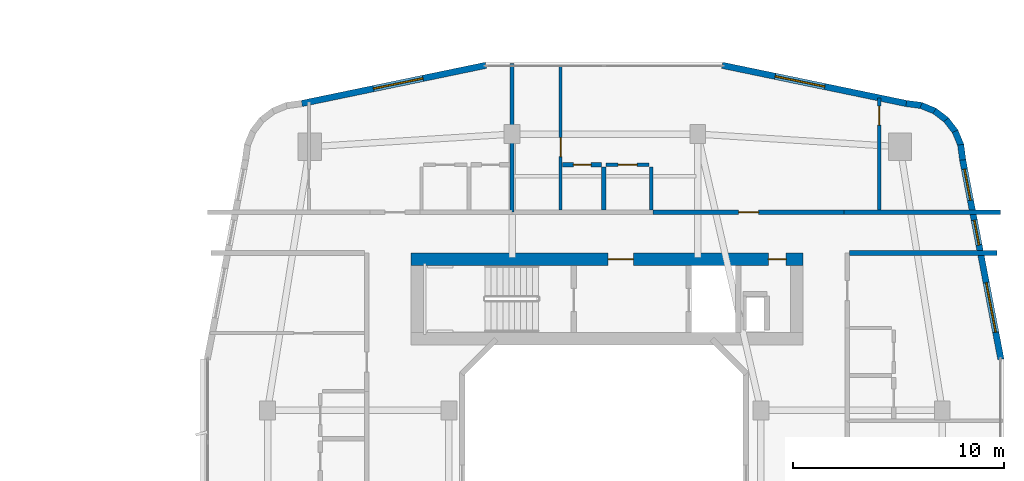
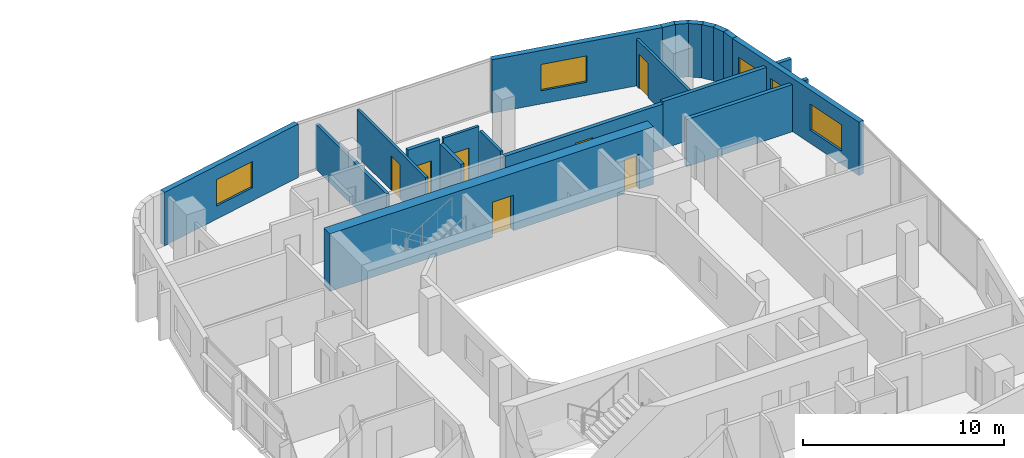
# One storey, part 20 of 26: 20 walls, 7 doors, 5 windows, 12 openings.
"""IFC4 building model written with IfcOpenShell, lengths in metres."""

from ifc_helpers import new_model, si_unit, derived_unit, direction, frame, frame_2d, origin, place, context, subcontext, project, spatial, rectangle, extrude, material, layer, layer_set, type_object, element, fill, save


model = new_model("IFC4")

# Units and contexts
model_context = context("Model", 3, precision=1e-05, world=origin(), true_north=direction((0.0, 1.0)))
body_context = subcontext(model_context, "Body", "Model", "MODEL_VIEW")
ifc_project = project(units=[si_unit("LENGTHUNIT", "METRE"), si_unit("AREAUNIT", "SQUARE_METRE"), si_unit("VOLUMEUNIT", "CUBIC_METRE"), si_unit("PLANEANGLEUNIT", "RADIAN"), si_unit("MASSUNIT", "GRAM", prefix="KILO"), derived_unit("THERMALTRANSMITTANCEUNIT", [(si_unit("POWERUNIT", "WATT"), 1), (si_unit("LENGTHUNIT", "METRE"), -2), (si_unit("THERMODYNAMICTEMPERATUREUNIT", "KELVIN"), -1)])], contexts=[model_context])

# Site, building, storey
site_placement = place(None, origin())
site = spatial("IfcSite", under=ifc_project, at=site_placement, CompositionType="ELEMENT")
building_placement = place(site_placement, origin())
building = spatial("IfcBuilding", under=site, at=building_placement, Name="Kivonza Crest Hotel", CompositionType="ELEMENT")
storey_placement = place(building_placement, frame((0.0, 0.0, 45.0)))
storey = spatial("IfcBuildingStorey", under=building, at=storey_placement, Name="L11", CompositionType="ELEMENT", Elevation=45.0)

# Walls
ifc_material_1 = material(Name="High-density acoustic masonry inter-tenancy wall", Category="masonry")
ifc_layer_1 = layer(ifc_material_1, 0.179931640625)
ifc_layer_set_1 = layer_set([ifc_layer_1], Name="High-density acoustic masonry inter-tenancy wall")
wall_type_1 = type_object("IfcWallType", Name="WL-ACOU-180", PredefinedType="SOLIDWALL", material=ifc_layer_set_1)
wall_1_placement = place(storey_placement, frame((72.60009765625, 37.89990234375, 0.0), z_axis=(0.0, 0.0, 1.0), x_axis=(0.0, 1.0, 0.0)))
element("IfcWall", 1, at=wall_1_placement, inside=storey, type_object=wall_type_1, Name="L11 interior partition WA-L11-T2N-DIV1", PredefinedType="SOLIDWALL", context=body_context, shape_type="SweptSolid", body=[
    extrude(rectangle(XDim=7.0400390625, YDim=0.179931640625, at=frame_2d((3.52001953125, 0.0))), origin(), (0.0, 0.0, 1.0), 2.72509765625),
])
ifc_material_2 = material(Name="Autoclaved aerated concrete blockwork", Category="masonry")
ifc_layer_2 = layer(ifc_material_2, 0.219970703125)
ifc_layer_set_2 = layer_set([ifc_layer_2], Name="Autoclaved aerated concrete blockwork")
wall_type_2 = type_object("IfcWallType", Name="WL-ACOU-220", PredefinedType="SOLIDWALL", material=ifc_layer_set_2)
wall_2_placement = place(storey_placement, frame((88.35009765625, 37.89990234375, 0.0), z_axis=(0.0, 0.0, 1.0), x_axis=(1.0, 0.0, 0.0)))
element("IfcWall", 2, at=wall_2_placement, inside=storey, type_object=wall_type_2, Name="L11 interior partition WA-L11-A02-RCORR", PredefinedType="SOLIDWALL", context=body_context, shape_type="SweptSolid", body=[
    extrude(rectangle(XDim=7.409912109375, YDim=0.219970703125, at=frame_2d((3.705078125, 0.0))), origin(), (0.0, 0.0, 1.0), 2.864990234375),
])

# Wall, opening, door
wall_3_placement = place(storey_placement, frame((79.280029296875, 37.89990234375, 0.0), z_axis=(0.0, 0.0, 1.0), x_axis=(1.0, 0.0, 0.0)))
wall_3 = element("IfcWall", 3, at=wall_3_placement, inside=storey, type_object=wall_type_2, Name="L11 interior partition WA-L11-A02-MCORR", PredefinedType="SOLIDWALL", context=body_context, shape_type="SweptSolid", body=[
    extrude(rectangle(XDim=9.070068359375, YDim=0.219970703125, at=frame_2d((4.53515625, 0.0))), origin(), (0.0, 0.0, 1.0), 2.72509765625),
])
opening_1_placement = place(wall_3_placement, frame((4.06005859375, 0.0, 0.0)))
opening_1 = element("IfcOpeningElement", 4, at=opening_1_placement, cuts=wall_3, Name="Opening DU-60", PredefinedType="OPENING", context=body_context, shape_type="SweptSolid", body=[
    extrude(rectangle(XDim=0.949951171875, YDim=2.10009765625, at=frame_2d((0.47509765625, 1.050048828125))), frame((0.0, 0.1201171875, 0.0), z_axis=(0.0, -1.0, 0.0), x_axis=(1.0, 0.0, 0.0)), (0.0, 0.0, 1.0), 0.239990234375),
])
ifc_material_3 = material(Name="Hardwood timber oak", Category="wood")
door_type_1 = type_object("IfcDoorType", Name="DR-UNIT-950", OperationType="NOTDEFINED", PredefinedType="DOOR", material=ifc_material_3)
door_1_placement = place(opening_1_placement, origin())
door_1 = element("IfcDoor", 5, at=door_1_placement, inside=storey, type_object=door_type_1, Name="L11 A02 apartment entrance fire door", OperationType="SINGLE_SWING_RIGHT", OverallHeight=2.10009765625, OverallWidth=0.949951171875, PredefinedType="DOOR", context=body_context, shape_type="SweptSolid", body=[
    extrude(rectangle(XDim=0.949951171875, YDim=2.10009765625, at=frame_2d((0.47509765625, 1.050048828125))), frame((0.0, 0.02490234375, 0.0), z_axis=(0.0, -1.0, 0.0), x_axis=(1.0, 0.0, 0.0)), (0.0, 0.0, 1.0), 0.050048828125),
])
fill(opening_1, door_1)

# Wall
wall_4_placement = place(storey_placement, frame((88.60009765625, 35.9599609375, 0.0), z_axis=(0.0, 0.0, 1.0), x_axis=(1.0, 0.0, 0.0)))
element("IfcWall", 6, at=wall_4_placement, inside=storey, type_object=wall_type_2, Name="L11 interior partition WA-L11-T2E-ENDN", PredefinedType="SOLIDWALL", context=body_context, shape_type="SweptSolid", body=[
    extrude(rectangle(XDim=7.0, YDim=0.219970703125, at=frame_2d((3.5, 0.0))), origin(), (0.0, 0.0, 1.0), 2.864990234375),
])

# Wall, openings, doors
ifc_material_4 = material(Name="Concrete C60/75", Category="concrete")
ifc_layer_3 = layer(ifc_material_4, 0.60009765625)
ifc_layer_set_3 = layer_set([ifc_layer_3], Name="Concrete C60/75")
wall_type_3 = type_object("IfcWallType", Name="WL-CORE-600", PredefinedType="SHEAR", material=ifc_layer_set_3)
wall_5_placement = place(storey_placement, frame((67.800048828125, 35.659912109375, 0.0), z_axis=(0.0, 0.0, 1.0), x_axis=(1.0, 0.0, 0.0)))
wall_5 = element("IfcWall", 7, at=wall_5_placement, inside=storey, type_object=wall_type_3, Name="Core wall T2-N North L11", PredefinedType="SHEAR", context=body_context, shape_type="SweptSolid", body=[
    extrude(rectangle(XDim=18.599853515625, YDim=0.60009765625, at=frame_2d((9.2998046875, 0.0))), origin(), (0.0, 0.0, 1.0), 3.5),
])
opening_2_placement = place(wall_5_placement, frame((9.35009765625, 0.0, 0.0)))
opening_2 = element("IfcOpeningElement", 8, at=opening_2_placement, cuts=wall_5, Name="Opening DF-60", PredefinedType="OPENING", context=body_context, shape_type="SweptSolid", body=[
    extrude(rectangle(XDim=1.199951171875, YDim=2.14990234375, at=frame_2d((0.60009765625, 1.074951171875))), frame((0.0, 0.31005859375, 0.0), z_axis=(0.0, -1.0, 0.0), x_axis=(1.0, 0.0, 0.0)), (0.0, 0.0, 1.0), 0.6201171875),
])
opening_3_placement = place(wall_5_placement, frame((16.949951171875, 0.0, 0.0)))
opening_3 = element("IfcOpeningElement", 9, at=opening_3_placement, cuts=wall_5, Name="Opening DF-60R", PredefinedType="OPENING", context=body_context, shape_type="SweptSolid", body=[
    extrude(rectangle(XDim=0.85009765625, YDim=2.10009765625, at=frame_2d((0.425048828125, 1.050048828125))), frame((0.0, 0.31005859375, 0.0), z_axis=(0.0, -1.0, 0.0), x_axis=(1.0, 0.0, 0.0)), (0.0, 0.0, 1.0), 0.6201171875),
])
door_type_2 = type_object("IfcDoorType", Name="DR-FD60-1200", OperationType="NOTDEFINED", PredefinedType="DOOR", material=ifc_material_3)
door_2_placement = place(opening_2_placement, origin())
door_2 = element("IfcDoor", 10, at=door_2_placement, inside=storey, type_object=door_type_2, Name="L11 T2-N firefighting lobby fire door", OperationType="SINGLE_SWING_RIGHT", OverallHeight=2.14990234375, OverallWidth=1.199951171875, PredefinedType="DOOR", context=body_context, shape_type="SweptSolid", body=[
    extrude(rectangle(XDim=1.199951171875, YDim=2.14990234375, at=frame_2d((0.60009765625, 1.074951171875))), frame((0.0, 0.02490234375, 0.0), z_axis=(0.0, -1.0, 0.0), x_axis=(1.0, 0.0, 0.0)), (0.0, 0.0, 1.0), 0.050048828125),
])
fill(opening_2, door_2)
door_type_3 = type_object("IfcDoorType", Name="DR-FD60-850", OperationType="NOTDEFINED", PredefinedType="DOOR", material=ifc_material_3)
door_3_placement = place(opening_3_placement, origin())
door_3 = element("IfcDoor", 11, at=door_3_placement, inside=storey, type_object=door_type_3, Name="L11 T2-N core room door", OperationType="SINGLE_SWING_RIGHT", OverallHeight=2.10009765625, OverallWidth=0.85009765625, PredefinedType="DOOR", context=body_context, shape_type="SweptSolid", body=[
    extrude(rectangle(XDim=0.85009765625, YDim=2.10009765625, at=frame_2d((0.425048828125, 1.050048828125))), frame((0.0, 0.02490234375, 0.0), z_axis=(0.0, -1.0, 0.0), x_axis=(1.0, 0.0, 0.0)), (0.0, 0.0, 1.0), 0.050048828125),
])
fill(opening_3, door_3)

# Wall, openings, windows
ifc_material_5 = material(Name="Precast concrete C40/50", Category="concrete")
ifc_layer_4 = layer(ifc_material_5, 0.300048828125)
ifc_layer_set_4 = layer_set([ifc_layer_4], Name="Precast concrete C40/50")
wall_type_4 = type_object("IfcWallType", Name="WL-EXT-300", PredefinedType="STANDARD", material=ifc_layer_set_4)
wall_6_placement = place(storey_placement, frame((95.782958984375, 30.91796875, 0.0), z_axis=(0.0, 0.0, 1.0), x_axis=(-0.188087874316, 0.982152203854, 0.0)))
wall_6 = element("IfcWall", 12, at=wall_6_placement, inside=storey, type_object=wall_type_4, Name="L11 T2 exterior insulated wall 18", PredefinedType="STANDARD", context=body_context, shape_type="SweptSolid", body=[
    extrude(rectangle(XDim=9.6337890625, YDim=0.300048828125, at=frame_2d((4.81689453125, 0.0))), origin(), (0.0, 0.0, 1.0), 3.25),
])
opening_4_placement = place(wall_6_placement, frame((1.305908203125, 0.0, 0.800048828125)))
opening_4 = element("IfcOpeningElement", 13, at=opening_4_placement, cuts=wall_6, Name="Opening WN-05", PredefinedType="OPENING", context=body_context, shape_type="SweptSolid", body=[
    extrude(rectangle(XDim=2.39990234375, YDim=1.60009765625, at=frame_2d((1.199951171875, 0.800048828125))), frame((0.0, 0.16015625, 0.0), z_axis=(0.0, -1.0, 0.0), x_axis=(1.0, 0.0, 0.0)), (0.0, 0.0, 1.0), 0.320068359375),
])
opening_5_placement = place(wall_6_placement, frame((5.52099609375, 0.0, 0.85009765625)))
opening_5 = element("IfcOpeningElement", 14, at=opening_5_placement, cuts=wall_6, Name="Opening WN-01", PredefinedType="OPENING", context=body_context, shape_type="SweptSolid", body=[
    extrude(rectangle(XDim=1.199951171875, YDim=1.5, at=frame_2d((0.60009765625, 0.75))), frame((0.0, 0.16015625, 0.0), z_axis=(0.0, -1.0, 0.0), x_axis=(1.0, 0.0, 0.0)), (0.0, 0.0, 1.0), 0.320068359375),
])
opening_6_placement = place(wall_6_placement, frame((7.681884765625, 0.0, 0.85009765625)))
opening_6 = element("IfcOpeningElement", 15, at=opening_6_placement, cuts=wall_6, Name="Opening WN-02", PredefinedType="OPENING", context=body_context, shape_type="SweptSolid", body=[
    extrude(rectangle(XDim=1.5, YDim=1.5, at=frame_2d((0.75, 0.75))), frame((0.0, 0.16015625, 0.0), z_axis=(0.0, -1.0, 0.0), x_axis=(1.0, 0.0, 0.0)), (0.0, 0.0, 1.0), 0.320068359375),
])
ifc_material_6 = material(Name="Thermally broken bronze aluminium and low-E double glazing", Category="aluminium")
window_type_1 = type_object("IfcWindowType", Name="WN-120x150", PartitioningType="SINGLE_PANEL", PredefinedType="WINDOW", material=ifc_material_6)
window_1_placement = place(opening_5_placement, origin())
window_1 = element("IfcWindow", 16, at=window_1_placement, inside=storey, type_object=window_type_1, Name="L11 T2 facade window 18 bay 2", OverallHeight=1.5, OverallWidth=1.199951171875, PartitioningType="SINGLE_PANEL", PredefinedType="WINDOW", context=body_context, shape_type="SweptSolid", body=[
    extrude(rectangle(XDim=1.199951171875, YDim=1.5, at=frame_2d((0.60009765625, 0.75))), frame((0.0, 0.030029296875, 0.0), z_axis=(0.0, -1.0, 0.0), x_axis=(1.0, 0.0, 0.0)), (0.0, 0.0, 1.0), 0.06005859375),
])
fill(opening_5, window_1)
window_type_2 = type_object("IfcWindowType", Name="WN-150x150", PartitioningType="DOUBLE_PANEL_VERTICAL", PredefinedType="WINDOW", material=ifc_material_6)
window_2_placement = place(opening_6_placement, origin())
window_2 = element("IfcWindow", 17, at=window_2_placement, inside=storey, type_object=window_type_2, Name="L11 T2 facade window 18 bay 3", OverallHeight=1.5, OverallWidth=1.5, PartitioningType="SINGLE_PANEL", PredefinedType="WINDOW", context=body_context, shape_type="SweptSolid", body=[
    extrude(rectangle(XDim=1.5, YDim=1.5, at=frame_2d((0.75, 0.75))), frame((0.0, 0.030029296875, 0.0), z_axis=(0.0, -1.0, 0.0), x_axis=(1.0, 0.0, 0.0)), (0.0, 0.0, 1.0), 0.06005859375),
])
fill(opening_6, window_2)
window_type_3 = type_object("IfcWindowType", Name="WN-240x160", PartitioningType="TRIPLE_PANEL_VERTICAL", PredefinedType="WINDOW", material=ifc_material_6)
window_3_placement = place(opening_4_placement, origin())
window_3 = element("IfcWindow", 18, at=window_3_placement, inside=storey, type_object=window_type_3, Name="L11 T2 facade window 18 bay 1", OverallHeight=1.60009765625, OverallWidth=2.39990234375, PartitioningType="SINGLE_PANEL", PredefinedType="WINDOW", context=body_context, shape_type="SweptSolid", body=[
    extrude(rectangle(XDim=2.39990234375, YDim=1.60009765625, at=frame_2d((1.199951171875, 0.800048828125))), frame((0.0, 0.030029296875, 0.0), z_axis=(0.0, -1.0, 0.0), x_axis=(1.0, 0.0, 0.0)), (0.0, 0.0, 1.0), 0.06005859375),
])
fill(opening_4, window_3)

# Walls
wall_7_placement = place(storey_placement, frame((93.971923828125, 40.373046875, 0.0), z_axis=(0.0, 0.0, 1.0), x_axis=(-0.130255288807, 0.991480488834, 0.0)))
element("IfcWall", 19, at=wall_7_placement, inside=storey, type_object=wall_type_4, Name="L11 T2 exterior insulated wall 19", PredefinedType="STANDARD", context=body_context, shape_type="SweptSolid", body=[
    extrude(rectangle(XDim=0.72900390625, YDim=0.300048828125, at=frame_2d((0.364501953125, 0.0))), origin(), (0.0, 0.0, 1.0), 3.25),
])
wall_8_placement = place(storey_placement, frame((93.89599609375, 41.044921875, 0.0), z_axis=(0.0, 0.0, 1.0), x_axis=(-0.383267045233, 0.923637576129, 0.0)))
element("IfcWall", 20, at=wall_8_placement, inside=storey, type_object=wall_type_4, Name="L11 T2 exterior insulated wall 20", PredefinedType="STANDARD", context=body_context, shape_type="SweptSolid", body=[
    extrude(rectangle(XDim=0.745849609375, YDim=0.300048828125, at=frame_2d((0.373046875, 0.0))), origin(), (0.0, 0.0, 1.0), 3.25),
])
for number, where, z_axis, x_axis, name in (
    (21, (93.64111328125, 41.68896484375, 0.0), (0.0, 0.0, 1.0), (-0.608603261071, 0.793474681772, 0.0), "L11 T2 exterior insulated wall 21"),
    (22, (93.22900390625, 42.24609375, 0.0), (0.0, 0.0, 1.0), (-0.79363269798, 0.608397189915, 0.0), "L11 T2 exterior insulated wall 22"),
):
    element("IfcWall", number, at=place(storey_placement, frame(where, z_axis=z_axis, x_axis=x_axis)), inside=storey, type_object=wall_type_4, Name=name, PredefinedType="STANDARD", context=body_context, shape_type="SweptSolid", body=[
        extrude(rectangle(XDim=0.74609375, YDim=0.300048828125, at=frame_2d((0.373046875, 0.0))), origin(), (0.0, 0.0, 1.0), 3.25),
    ])
wall_9_placement = place(storey_placement, frame((92.68603515625, 42.676025390625, 0.0), z_axis=(0.0, 0.0, 1.0), x_axis=(-0.923637576129, 0.383267045233, 0.0)))
element("IfcWall", 23, at=wall_9_placement, inside=storey, type_object=wall_type_4, Name="L11 T2 exterior insulated wall 23", PredefinedType="STANDARD", context=body_context, shape_type="SweptSolid", body=[
    extrude(rectangle(XDim=0.745849609375, YDim=0.300048828125, at=frame_2d((0.373046875, 0.0))), origin(), (0.0, 0.0, 1.0), 3.25),
])
wall_10_placement = place(storey_placement, frame((92.051025390625, 42.952880859375, 0.0), z_axis=(0.0, 0.0, 1.0), x_axis=(-0.991559404866, 0.129653178221, 0.0)))
element("IfcWall", 24, at=wall_10_placement, inside=storey, type_object=wall_type_4, Name="L11 T2 exterior insulated wall 24", PredefinedType="STANDARD", context=body_context, shape_type="SweptSolid", body=[
    extrude(rectangle(XDim=0.764404296875, YDim=0.300048828125, at=frame_2d((0.38232421875, 0.0))), origin(), (0.0, 0.0, 1.0), 3.25),
])

# Wall, opening, window
wall_11_placement = place(storey_placement, frame((91.298095703125, 43.051025390625, 0.0), z_axis=(0.0, 0.0, 1.0), x_axis=(-0.979128391325, 0.203242695569, 0.0)))
wall_11 = element("IfcWall", 25, at=wall_11_placement, inside=storey, type_object=wall_type_4, Name="L11 T2 exterior insulated wall 25", PredefinedType="STANDARD", context=body_context, shape_type="SweptSolid", body=[
    extrude(rectangle(XDim=8.92041015625, YDim=0.300048828125, at=frame_2d((4.460205078125, 0.0))), origin(), (0.0, 0.0, 1.0), 3.25),
])
opening_7_placement = place(wall_11_placement, frame((3.95703125, 0.0, 0.800048828125)))
opening_7 = element("IfcOpeningElement", 26, at=opening_7_placement, cuts=wall_11, Name="Opening WN-05", PredefinedType="OPENING", context=body_context, shape_type="SweptSolid", body=[
    extrude(rectangle(XDim=2.39990234375, YDim=1.60009765625, at=frame_2d((1.199951171875, 0.800048828125))), frame((0.0, 0.16015625, 0.0), z_axis=(0.0, -1.0, 0.0), x_axis=(1.0, 0.0, 0.0)), (0.0, 0.0, 1.0), 0.320068359375),
])
window_4_placement = place(opening_7_placement, origin())
window_4 = element("IfcWindow", 27, at=window_4_placement, inside=storey, type_object=window_type_3, Name="L11 T2 facade window 25", OverallHeight=1.60009765625, OverallWidth=2.39990234375, PartitioningType="SINGLE_PANEL", PredefinedType="WINDOW", context=body_context, shape_type="SweptSolid", body=[
    extrude(rectangle(XDim=2.39990234375, YDim=1.60009765625, at=frame_2d((1.199951171875, 0.800048828125))), frame((0.0, 0.030029296875, 0.0), z_axis=(0.0, -1.0, 0.0), x_axis=(1.0, 0.0, 0.0)), (0.0, 0.0, 1.0), 0.06005859375),
])
fill(opening_7, window_4)

wall_12_placement = place(storey_placement, frame((71.35595703125, 44.864013671875, 0.0), z_axis=(0.0, 0.0, 1.0), x_axis=(-0.979127260729, -0.203248142175, 0.0)))
wall_12 = element("IfcWall", 28, at=wall_12_placement, inside=storey, type_object=wall_type_4, Name="L11 T2 exterior insulated wall 27", PredefinedType="STANDARD", context=body_context, shape_type="SweptSolid", body=[
    extrude(rectangle(XDim=8.920166015625, YDim=0.300048828125, at=frame_2d((4.4599609375, 0.0))), origin(), (0.0, 0.0, 1.0), 3.25),
])
opening_8_placement = place(wall_12_placement, frame((3.048095703125, 0.0, 0.800048828125)))
opening_8 = element("IfcOpeningElement", 29, at=opening_8_placement, cuts=wall_12, Name="Opening WN-05", PredefinedType="OPENING", context=body_context, shape_type="SweptSolid", body=[
    extrude(rectangle(XDim=2.39990234375, YDim=1.60009765625, at=frame_2d((1.199951171875, 0.800048828125))), frame((0.0, 0.16015625, 0.0), z_axis=(0.0, -1.0, 0.0), x_axis=(1.0, 0.0, 0.0)), (0.0, 0.0, 1.0), 0.320068359375),
])
window_5_placement = place(opening_8_placement, origin())
window_5 = element("IfcWindow", 30, at=window_5_placement, inside=storey, type_object=window_type_3, Name="L11 T2 facade window 27", OverallHeight=1.60009765625, OverallWidth=2.39990234375, PartitioningType="SINGLE_PANEL", PredefinedType="WINDOW", context=body_context, shape_type="SweptSolid", body=[
    extrude(rectangle(XDim=2.39990234375, YDim=1.60009765625, at=frame_2d((1.199951171875, 0.800048828125))), frame((0.0, 0.030029296875, 0.0), z_axis=(0.0, -1.0, 0.0), x_axis=(1.0, 0.0, 0.0)), (0.0, 0.0, 1.0), 0.06005859375),
])
fill(opening_8, window_5)

# Wall, opening, door
ifc_material_7 = material(Name="Twin-stud acoustic gypsum board partition", Category="gypsum")
ifc_layer_5 = layer(ifc_material_7, 0.14990234375)
ifc_layer_set_5 = layer_set([ifc_layer_5], Name="Twin-stud acoustic gypsum board partition")
wall_type_5 = type_object("IfcWallType", Name="WL-PART-150", PredefinedType="PARTITIONING", material=ifc_layer_set_5)
wall_13_placement = place(storey_placement, frame((74.89990234375, 38.0, 0.0), z_axis=(0.0, 0.0, 1.0), x_axis=(0.0, 1.0, 0.0)))
wall_13 = element("IfcWall", 31, at=wall_13_placement, inside=storey, type_object=wall_type_5, Name="L11 interior partition WP-L11-A02-BDW1", PredefinedType="PARTITIONING", context=body_context, shape_type="SweptSolid", body=[
    extrude(rectangle(XDim=6.840087890625, YDim=0.14990234375, at=frame_2d((3.419921875, 0.0))), origin(), (0.0, 0.0, 1.0), 2.864990234375),
])
opening_9_placement = place(wall_13_placement, frame((2.530029296875, 0.0, 0.0)))
opening_9 = element("IfcOpeningElement", 32, at=opening_9_placement, cuts=wall_13, Name="Opening DI-90", PredefinedType="OPENING", context=body_context, shape_type="SweptSolid", body=[
    extrude(rectangle(XDim=0.89990234375, YDim=2.10009765625, at=frame_2d((0.449951171875, 1.050048828125))), frame((0.0, 0.0849609375, 0.0), z_axis=(0.0, -1.0, 0.0), x_axis=(1.0, 0.0, 0.0)), (0.0, 0.0, 1.0), 0.169921875),
])
door_type_4 = type_object("IfcDoorType", Name="DR-INT-900", OperationType="NOTDEFINED", PredefinedType="DOOR", material=ifc_material_3)
door_4_placement = place(opening_9_placement, origin())
door_4 = element("IfcDoor", 33, at=door_4_placement, inside=storey, type_object=door_type_4, Name="L11 A02 bedroom 1 door", OperationType="SINGLE_SWING_LEFT", OverallHeight=2.10009765625, OverallWidth=0.89990234375, PredefinedType="DOOR", context=body_context, shape_type="SweptSolid", body=[
    extrude(rectangle(XDim=0.89990234375, YDim=2.10009765625, at=frame_2d((0.449951171875, 1.050048828125))), frame((0.0, 0.02490234375, 0.0), z_axis=(0.0, -1.0, 0.0), x_axis=(1.0, 0.0, 0.0)), (0.0, 0.0, 1.0), 0.050048828125),
])
fill(opening_9, door_4)

wall_14_placement = place(storey_placement, frame((90.010009765625, 38.0, 0.0), z_axis=(0.0, 0.0, 1.0), x_axis=(0.0, 1.0, 0.0)))
wall_14 = element("IfcWall", 34, at=wall_14_placement, inside=storey, type_object=wall_type_5, Name="L11 interior partition WP-L11-A02-BDW2", PredefinedType="PARTITIONING", context=body_context, shape_type="SweptSolid", body=[
    extrude(rectangle(XDim=5.31103515625, YDim=0.14990234375, at=frame_2d((2.655517578125, 0.0))), origin(), (0.0, 0.0, 1.0), 2.864990234375),
])
opening_10_placement = place(wall_14_placement, frame((4.030029296875, 0.0, 0.0)))
opening_10 = element("IfcOpeningElement", 35, at=opening_10_placement, cuts=wall_14, Name="Opening DI-90", PredefinedType="OPENING", context=body_context, shape_type="SweptSolid", body=[
    extrude(rectangle(XDim=0.89990234375, YDim=2.10009765625, at=frame_2d((0.449951171875, 1.050048828125))), frame((0.0, 0.0849609375, 0.0), z_axis=(0.0, -1.0, 0.0), x_axis=(1.0, 0.0, 0.0)), (0.0, 0.0, 1.0), 0.169921875),
])
door_5_placement = place(opening_10_placement, origin())
door_5 = element("IfcDoor", 36, at=door_5_placement, inside=storey, type_object=door_type_4, Name="L11 A02 bedroom 2 door", OperationType="SINGLE_SWING_RIGHT", OverallHeight=2.10009765625, OverallWidth=0.89990234375, PredefinedType="DOOR", context=body_context, shape_type="SweptSolid", body=[
    extrude(rectangle(XDim=0.89990234375, YDim=2.10009765625, at=frame_2d((0.449951171875, 1.050048828125))), frame((0.0, 0.02490234375, 0.0), z_axis=(0.0, -1.0, 0.0), x_axis=(1.0, 0.0, 0.0)), (0.0, 0.0, 1.0), 0.050048828125),
])
fill(opening_10, door_5)

# Wall
wall_15_placement = place(storey_placement, frame((79.199951171875, 38.0, 0.0), z_axis=(0.0, 0.0, 1.0), x_axis=(0.0, 1.0, 0.0)))
element("IfcWall", 37, at=wall_15_placement, inside=storey, type_object=wall_type_5, Name="L11 interior partition WP-L11-A02-KF", PredefinedType="PARTITIONING", context=body_context, shape_type="SweptSolid", body=[
    extrude(rectangle(XDim=2.050048828125, YDim=0.14990234375, at=frame_2d((1.02490234375, 0.0))), origin(), (0.0, 0.0, 1.0), 2.955078125),
])

# Wall, opening, door
wall_16_placement = place(storey_placement, frame((77.050048828125, 40.14990234375, 0.0), z_axis=(0.0, 0.0, 1.0), x_axis=(1.0, 0.0, 0.0)))
wall_16 = element("IfcWall", 38, at=wall_16_placement, inside=storey, type_object=wall_type_5, Name="L11 interior partition WP-L11-A02-KSVC", PredefinedType="PARTITIONING", context=body_context, shape_type="SweptSolid", body=[
    extrude(rectangle(XDim=2.050048828125, YDim=0.14990234375, at=frame_2d((1.02490234375, 0.0))), origin(), (0.0, 0.0, 1.0), 3.219970703125),
])
opening_11_placement = place(wall_16_placement, frame((0.574951171875, 0.0, 0.0)))
opening_11 = element("IfcOpeningElement", 39, at=opening_11_placement, cuts=wall_16, Name="Opening DI-90", PredefinedType="OPENING", context=body_context, shape_type="SweptSolid", body=[
    extrude(rectangle(XDim=0.89990234375, YDim=2.10009765625, at=frame_2d((0.449951171875, 1.050048828125))), frame((0.0, 0.0849609375, 0.0), z_axis=(0.0, -1.0, 0.0), x_axis=(1.0, 0.0, 0.0)), (0.0, 0.0, 1.0), 0.169921875),
])
door_6_placement = place(opening_11_placement, origin())
door_6 = element("IfcDoor", 40, at=door_6_placement, inside=storey, type_object=door_type_4, Name="L11 A02 apartment kitchen door", OperationType="SINGLE_SWING_RIGHT", OverallHeight=2.10009765625, OverallWidth=0.89990234375, PredefinedType="DOOR", context=body_context, shape_type="SweptSolid", body=[
    extrude(rectangle(XDim=0.89990234375, YDim=2.10009765625, at=frame_2d((0.449951171875, 1.050048828125))), frame((0.0, 0.02490234375, 0.0), z_axis=(0.0, -1.0, 0.0), x_axis=(1.0, 0.0, 0.0)), (0.0, 0.0, 1.0), 0.050048828125),
])
fill(opening_11, door_6)

# Wall
ifc_material_8 = material(Name="Moisture-resistant plumbing chase partition wall", Category="gypsum")
ifc_layer_6 = layer(ifc_material_8, 0.199951171875)
ifc_layer_set_6 = layer_set([ifc_layer_6], Name="Moisture-resistant plumbing chase partition wall")
wall_type_6 = type_object("IfcWallType", Name="WL-PLUMB-200", PredefinedType="PLUMBINGWALL", material=ifc_layer_set_6)
wall_17_placement = place(storey_placement, frame((76.949951171875, 38.0, 0.0), z_axis=(0.0, 0.0, 1.0), x_axis=(0.0, 1.0, 0.0)))
element("IfcWall", 41, at=wall_17_placement, inside=storey, type_object=wall_type_6, Name="L11 interior partition WW-L11-A02-BK", PredefinedType="PLUMBINGWALL", context=body_context, shape_type="SweptSolid", body=[
    extrude(rectangle(XDim=2.050048828125, YDim=0.199951171875, at=frame_2d((1.02490234375, 0.0))), origin(), (0.0, 0.0, 1.0), 2.955078125),
])

# Wall, opening, door
wall_18_placement = place(storey_placement, frame((75.0, 40.14990234375, 0.0), z_axis=(0.0, 0.0, 1.0), x_axis=(1.0, 0.0, 0.0)))
wall_18 = element("IfcWall", 42, at=wall_18_placement, inside=storey, type_object=wall_type_6, Name="L11 interior partition WW-L11-A02-BSVC", PredefinedType="PLUMBINGWALL", context=body_context, shape_type="SweptSolid", body=[
    extrude(rectangle(XDim=1.85009765625, YDim=0.199951171875, at=frame_2d((0.925048828125, 0.0))), origin(), (0.0, 0.0, 1.0), 3.219970703125),
])
opening_12_placement = place(wall_18_placement, frame((0.5, 0.0, 0.0)))
opening_12 = element("IfcOpeningElement", 43, at=opening_12_placement, cuts=wall_18, Name="Opening DI-85", PredefinedType="OPENING", context=body_context, shape_type="SweptSolid", body=[
    extrude(rectangle(XDim=0.85009765625, YDim=2.10009765625, at=frame_2d((0.425048828125, 1.050048828125))), frame((0.0, 0.10986328125, 0.0), z_axis=(0.0, -1.0, 0.0), x_axis=(1.0, 0.0, 0.0)), (0.0, 0.0, 1.0), 0.219970703125),
])
door_type_5 = type_object("IfcDoorType", Name="DR-INT-850", OperationType="NOTDEFINED", PredefinedType="DOOR", material=ifc_material_3)
door_7_placement = place(opening_12_placement, origin())
door_7 = element("IfcDoor", 44, at=door_7_placement, inside=storey, type_object=door_type_5, Name="L11 A02 apartment bathroom door", OperationType="SINGLE_SWING_LEFT", OverallHeight=2.10009765625, OverallWidth=0.85009765625, PredefinedType="DOOR", context=body_context, shape_type="SweptSolid", body=[
    extrude(rectangle(XDim=0.85009765625, YDim=2.10009765625, at=frame_2d((0.425048828125, 1.050048828125))), frame((0.0, 0.02490234375, 0.0), z_axis=(0.0, -1.0, 0.0), x_axis=(1.0, 0.0, 0.0)), (0.0, 0.0, 1.0), 0.050048828125),
])
fill(opening_12, door_7)

save(model, "model.ifc")
